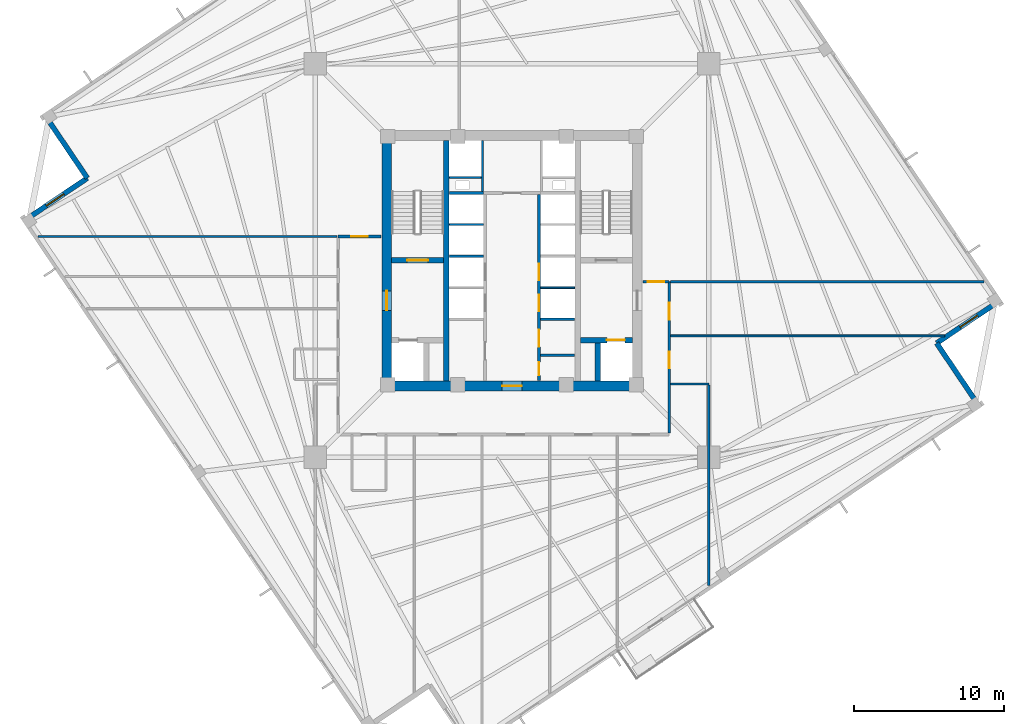
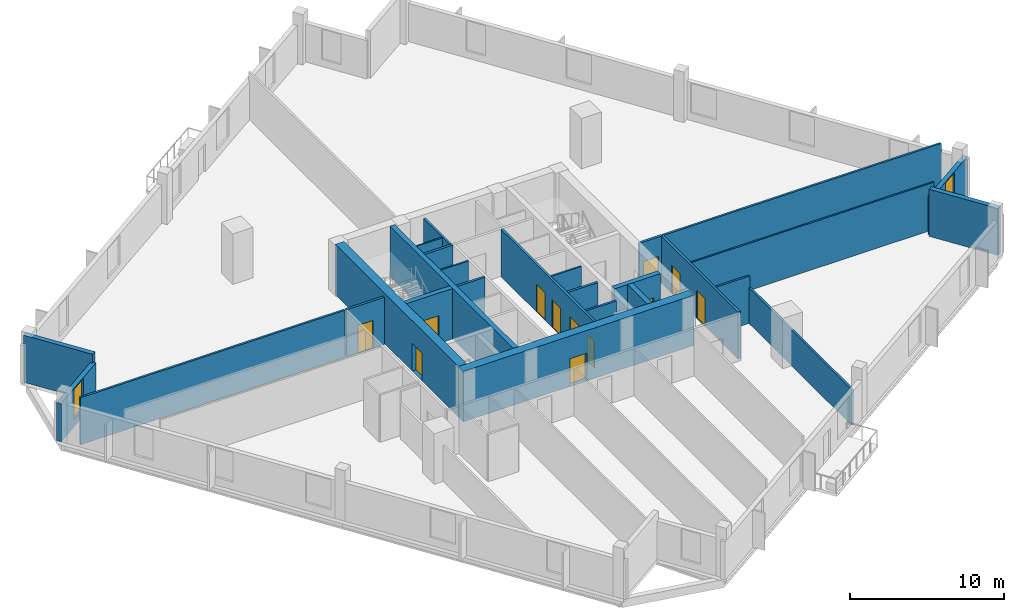
# One storey, part 4 of 9: 27 walls, 12 doors, 2 windows, 14 openings.
"""IFC4 building model written with IfcOpenShell, lengths in metres."""

from ifc_helpers import new_model, si_unit, direction, frame, frame_2d, origin, place, context, subcontext, project, spatial, rectangle, extrude, source, transform, mapped, material, layer, layer_set, type_object, element, fill, save


model = new_model("IFC4")

# Units and contexts
model_context = context("Model", 3, precision=1e-05, world=origin(), true_north=direction((0.0, 1.0)))
body_context = subcontext(model_context, "Body", "Model", "MODEL_VIEW")
ifc_project = project(units=[si_unit("LENGTHUNIT", "METRE"), si_unit("AREAUNIT", "SQUARE_METRE"), si_unit("VOLUMEUNIT", "CUBIC_METRE"), si_unit("PLANEANGLEUNIT", "RADIAN"), si_unit("MASSUNIT", "GRAM", prefix="KILO"), si_unit("THERMODYNAMICTEMPERATUREUNIT", "KELVIN")], contexts=[model_context])

# Site, building, storey
site_placement = place(None, origin())
site = spatial("IfcSite", under=ifc_project, at=site_placement, CompositionType="ELEMENT")
building_placement = place(site_placement, origin())
building = spatial("IfcBuilding", under=site, at=building_placement, Name="Kosmvard Interchange Tower", CompositionType="ELEMENT")
storey_placement = place(building_placement, frame((0.0, 0.0, 164.39990234375)))
storey = spatial("IfcBuildingStorey", under=building, at=storey_placement, Name="L39", CompositionType="ELEMENT", Elevation=164.39990234375)

# Walls
ifc_material_1 = material(Name="Acoustic gypsum partition system")
ifc_layer_1 = layer(ifc_material_1, 0.14990234375, Name="Acoustic gypsum partition system")
ifc_layer_set_1 = layer_set([ifc_layer_1], Name="Acoustic gypsum partition system")
wall_type_1 = type_object("IfcWallType", Name="Acoustic Suite & Meeting Partition 150", PredefinedType="PARTITIONING", material=ifc_layer_set_1)
wall_1_placement = place(storey_placement, frame((-31.506103515625, 1.60009765625, 0.0), z_axis=(0.0, 0.0, 1.0), x_axis=(1.0, 0.0, 0.0)))
element("IfcWall", 1, at=wall_1_placement, inside=storey, type_object=wall_type_1, Name="L39 Room Partition 03.1", PredefinedType="PARTITIONING", context=body_context, shape_type="SweptSolid", body=[
    extrude(rectangle(XDim=19.861083984375, YDim=0.14990234375, at=frame_2d((9.9306640625, 0.0))), origin(), (0.0, 0.0, 1.0), 3.739990234375),
])
wall_2_placement = place(storey_placement, frame((10.544921875, -1.39990234375, 0.0), z_axis=(0.0, 0.0, 1.0), x_axis=(1.0, 0.0, 0.0)))
element("IfcWall", 2, at=wall_2_placement, inside=storey, type_object=wall_type_1, Name="L39 Room Partition 04.1", PredefinedType="PARTITIONING", context=body_context, shape_type="SweptSolid", body=[
    extrude(rectangle(XDim=20.826171875, YDim=0.14990234375, at=frame_2d((10.4130859375, 0.0))), origin(), (0.0, 0.0, 1.0), 3.739990234375),
])
wall_3_placement = place(storey_placement, frame((10.544921875, -8.199951171875, 0.0), z_axis=(0.0, 0.0, 1.0), x_axis=(1.0, 0.0, 0.0)))
element("IfcWall", 3, at=wall_3_placement, inside=storey, type_object=wall_type_1, Name="L39 Room Partition 12.1", PredefinedType="PARTITIONING", context=body_context, shape_type="SweptSolid", body=[
    extrude(rectangle(XDim=2.5361328125, YDim=0.14990234375, at=frame_2d((1.26806640625, 0.0))), origin(), (0.0, 0.0, 1.0), 3.739990234375),
])
wall_4_placement = place(storey_placement, frame((13.0810546875, -8.27490234375, 0.0), z_axis=(0.0, 0.0, 1.0), x_axis=(0.0, -1.0, 0.0)))
element("IfcWall", 4, at=wall_4_placement, inside=storey, type_object=wall_type_1, Name="L39 Room Partition 13.1", PredefinedType="PARTITIONING", context=body_context, shape_type="SweptSolid", body=[
    extrude(rectangle(XDim=13.32861328125, YDim=0.14990234375, at=frame_2d((6.664306640625, 0.0))), origin(), (0.0, 0.0, 1.0), 2.840087890625),
])
ifc_material_2 = material(Name="Fire-rated gypsum partition system")
ifc_layer_2 = layer(ifc_material_2, 0.159912109375, Name="Fire-rated gypsum partition system")
ifc_layer_set_2 = layer_set([ifc_layer_2], Name="Fire-rated gypsum partition system")
wall_type_2 = type_object("IfcWallType", Name="Core Compartment & Shuttle Lobby Partition 160", PredefinedType="PARTITIONING", material=ifc_layer_set_2)
wall_5_placement = place(storey_placement, frame((1.889892578125, -6.300048828125, 0.0), z_axis=(0.0, 0.0, 1.0), x_axis=(1.0, 0.0, 0.0)))
element("IfcWall", 5, at=wall_5_placement, inside=storey, type_object=wall_type_2, Name="L39 Reclaimed Split E", PredefinedType="PARTITIONING", context=body_context, shape_type="SweptSolid", body=[
    extrude(rectangle(XDim=2.280029296875, YDim=0.159912109375, at=frame_2d((1.14013671875, 0.0))), origin(), (0.0, 0.0, 1.0), 3.739990234375),
])
wall_6_placement = place(storey_placement, frame((-1.9599609375, 4.580078125, 0.0), z_axis=(0.0, 0.0, 1.0), x_axis=(0.0, 1.0, 0.0)))
element("IfcWall", 6, at=wall_6_placement, inside=storey, type_object=wall_type_2, Name="L39 North Core West Wall", PredefinedType="PARTITIONING", context=body_context, shape_type="SweptSolid", body=[
    extrude(rectangle(XDim=3.39990234375, YDim=0.159912109375, at=frame_2d((1.699951171875, 0.0))), origin(), (0.0, 0.0, 1.0), 3.739990234375),
])

# Wall, openings, doors
ifc_layer_3 = layer(ifc_material_2, 0.179931640625, Name="Fire-rated gypsum partition system")
ifc_layer_set_3 = layer_set([ifc_layer_3], Name="Fire-rated gypsum partition system")
wall_type_3 = type_object("IfcWallType", Name="Corridor & Hotel Compartment Partition 180", PredefinedType="PARTITIONING", material=ifc_layer_set_3)
wall_7_placement = place(storey_placement, frame((1.7900390625, -7.97998046875, 0.0), z_axis=(0.0, 0.0, 1.0), x_axis=(0.0, 1.0, 0.0)))
wall_7 = element("IfcWall", 7, at=wall_7_placement, inside=storey, type_object=wall_type_3, Name="L39 East Lift Bank Front Wall", PredefinedType="PARTITIONING", context=body_context, shape_type="SweptSolid", body=[
    extrude(rectangle(XDim=12.3798828125, YDim=0.179931640625, at=frame_2d((6.18994140625, 0.0))), origin(), (0.0, 0.0, 1.0), 3.739990234375),
])
opening_1_placement = place(wall_7_placement, frame((4.60009765625, 0.0, 0.0)))
opening_1 = element("IfcOpeningElement", 8, at=opening_1_placement, cuts=wall_7, Name="Opening LD-PL-M3-L39", PredefinedType="OPENING", context=body_context, shape_type="SweptSolid", body=[
    extrude(rectangle(XDim=1.10009765625, YDim=2.199951171875, at=frame_2d((0.550048828125, 1.10009765625))), frame((0.0, 0.10009765625, 0.0), z_axis=(0.0, -1.0, 0.0), x_axis=(1.0, 0.0, 0.0)), (0.0, 0.0, 1.0), 0.199951171875),
])
opening_2_placement = place(wall_7_placement, frame((6.659912109375, 0.0, 0.0)))
opening_2 = element("IfcOpeningElement", 9, at=opening_2_placement, cuts=wall_7, Name="Opening LD-PL-M4-L39", PredefinedType="OPENING", context=body_context, shape_type="SweptSolid", body=[
    extrude(rectangle(XDim=1.10009765625, YDim=2.199951171875, at=frame_2d((0.550048828125, 1.10009765625))), frame((0.0, 0.10009765625, 0.0), z_axis=(0.0, -1.0, 0.0), x_axis=(1.0, 0.0, 0.0)), (0.0, 0.0, 1.0), 0.199951171875),
])
opening_3_placement = place(wall_7_placement, frame((0.35009765625, 0.0, 0.0)))
opening_3 = element("IfcOpeningElement", 10, at=opening_3_placement, cuts=wall_7, Name="Opening L39-CD2", PredefinedType="OPENING", context=body_context, shape_type="SweptSolid", body=[
    extrude(rectangle(XDim=0.8798828125, YDim=2.10009765625, at=frame_2d((0.43994140625, 1.050048828125))), frame((0.0, 0.10009765625, 0.0), z_axis=(0.0, -1.0, 0.0), x_axis=(1.0, 0.0, 0.0)), (0.0, 0.0, 1.0), 0.199951171875),
])
opening_4_placement = place(wall_7_placement, frame((2.25, 0.0, 0.0)))
opening_4 = element("IfcOpeningElement", 11, at=opening_4_placement, cuts=wall_7, Name="Opening L39-CD3", PredefinedType="OPENING", context=body_context, shape_type="SweptSolid", body=[
    extrude(rectangle(XDim=1.14990234375, YDim=2.25, at=frame_2d((0.574951171875, 1.125))), frame((0.0, 0.10009765625, 0.0), z_axis=(0.0, -1.0, 0.0), x_axis=(1.0, 0.0, 0.0)), (0.0, 0.0, 1.0), 0.199951171875),
])
ifc_material_3 = material(Name="Painted fire-rated steel leaf", Category="steel")
door_type_1 = type_object("IfcDoorType", Name="Plant & Riser Fire Door 1150x2250 EI60", OperationType="NOTDEFINED", PredefinedType="DOOR", material=ifc_material_3)
shared_shape_1 = source(origin(), body_context, "Body", "SweptSolid", [
    extrude(rectangle(XDim=1.14990234375, YDim=2.25, at=frame_2d((0.574951171875, 1.125))), frame((0.0, 0.02490234375, 0.0), z_axis=(0.0, -1.0, 0.0), x_axis=(1.0, 0.0, 0.0)), (0.0, 0.0, 1.0), 0.050048828125),
])
door_1_placement = place(opening_4_placement, frame((1.14990234375, 0.0, 0.0), z_axis=(0.0, 0.0, 1.0), x_axis=(-1.0, 0.0, 0.0)))
door_1 = element("IfcDoor", 12, at=door_1_placement, inside=storey, type_object=door_type_1, Name="L39 Core Pantry Door", OperationType="SINGLE_SWING_LEFT", OverallHeight=2.25, OverallWidth=1.14990234375, PredefinedType="DOOR", context=body_context, shape_type="MappedRepresentation", body=[
    mapped(shared_shape_1, transform((0.0, 0.0, 0.0), scale=1.0)),
])
fill(opening_4, door_1)
ifc_material_4 = material(Name="Brushed stainless steel sliding leaf", Category="steel")
door_type_2 = type_object("IfcDoorType", Name="Passenger Lift Sliding Landing Door 1100x2200 EI60", OperationType="DOUBLE_DOOR_SLIDING", PredefinedType="DOOR", material=ifc_material_4)
shared_shape_2 = source(origin(), body_context, "Body", "SweptSolid", [
    extrude(rectangle(XDim=1.10009765625, YDim=2.199951171875, at=frame_2d((0.550048828125, 1.10009765625))), frame((0.0, 0.02490234375, 0.0), z_axis=(0.0, -1.0, 0.0), x_axis=(1.0, 0.0, 0.0)), (0.0, 0.0, 1.0), 0.050048828125),
])
door_2_placement = place(opening_1_placement, origin())
door_2 = element("IfcDoor", 13, at=door_2_placement, inside=storey, type_object=door_type_2, Name="Lift PL-M3 Landing Door L39", OperationType="DOUBLE_DOOR_SLIDING", OverallHeight=2.199951171875, OverallWidth=1.10009765625, PredefinedType="DOOR", context=body_context, shape_type="MappedRepresentation", body=[
    mapped(shared_shape_2, transform((0.0, 0.0, 0.0), scale=1.0)),
])
fill(opening_1, door_2)
door_3_placement = place(opening_2_placement, origin())
door_3 = element("IfcDoor", 14, at=door_3_placement, inside=storey, type_object=door_type_2, Name="Lift PL-M4 Landing Door L39", OperationType="DOUBLE_DOOR_SLIDING", OverallHeight=2.199951171875, OverallWidth=1.10009765625, PredefinedType="DOOR", context=body_context, shape_type="MappedRepresentation", body=[
    mapped(shared_shape_2, transform((0.0, 0.0, 0.0), scale=1.0)),
])
fill(opening_2, door_3)
ifc_material_5 = material(Name="Painted fire-rated timber leaf", Category="wood")
door_type_3 = type_object("IfcDoorType", Name="Core Cupboard Fire Door 880x2100 EI30", OperationType="NOTDEFINED", PredefinedType="DOOR", material=ifc_material_5)
shared_shape_3 = source(origin(), body_context, "Body", "SweptSolid", [
    extrude(rectangle(XDim=0.8798828125, YDim=2.10009765625, at=frame_2d((0.43994140625, 1.050048828125))), frame((0.0, 0.02490234375, 0.0), z_axis=(0.0, -1.0, 0.0), x_axis=(1.0, 0.0, 0.0)), (0.0, 0.0, 1.0), 0.050048828125),
])
door_4_placement = place(opening_3_placement, frame((0.8798828125, 0.0, 0.0), z_axis=(0.0, 0.0, 1.0), x_axis=(-1.0, 0.0, 0.0)))
door_4 = element("IfcDoor", 15, at=door_4_placement, inside=storey, type_object=door_type_3, Name="L39 Core Cleaner Door", OperationType="SINGLE_SWING_RIGHT", OverallHeight=2.10009765625, OverallWidth=0.8798828125, PredefinedType="DOOR", context=body_context, shape_type="MappedRepresentation", body=[
    mapped(shared_shape_3, transform((0.0, 0.0, 0.0), scale=1.0)),
])
fill(opening_3, door_4)

wall_8_placement = place(storey_placement, frame((10.449951171875, -11.449951171875, 0.0), z_axis=(0.0, 0.0, 1.0), x_axis=(0.0, 1.0, 0.0)))
wall_8 = element("IfcWall", 16, at=wall_8_placement, inside=storey, type_object=wall_type_3, Name="L39 Corridor Wall CE", PredefinedType="PARTITIONING", context=body_context, shape_type="SweptSolid", body=[
    extrude(rectangle(XDim=10.050048828125, YDim=0.179931640625, at=frame_2d((5.02490234375, 0.0))), origin(), (0.0, 0.0, 1.0), 3.739990234375),
])
opening_5_placement = place(wall_8_placement, frame((4.300048828125, 0.0, 0.0)))
opening_5 = element("IfcOpeningElement", 17, at=opening_5_placement, cuts=wall_8, Name="Opening L39-D13", PredefinedType="OPENING", context=body_context, shape_type="SweptSolid", body=[
    extrude(rectangle(XDim=1.10009765625, YDim=2.199951171875, at=frame_2d((0.550048828125, 1.10009765625))), frame((0.0, 0.10009765625, 0.0), z_axis=(0.0, -1.0, 0.0), x_axis=(1.0, 0.0, 0.0)), (0.0, 0.0, 1.0), 0.199951171875),
])
opening_6_placement = place(wall_8_placement, frame((7.53564453125, 0.0, 0.0)))
opening_6 = element("IfcOpeningElement", 18, at=opening_6_placement, cuts=wall_8, Name="Opening L39-D14", PredefinedType="OPENING", context=body_context, shape_type="SweptSolid", body=[
    extrude(rectangle(XDim=1.10009765625, YDim=2.199951171875, at=frame_2d((0.550048828125, 1.10009765625))), frame((0.0, 0.10009765625, 0.0), z_axis=(0.0, -1.0, 0.0), x_axis=(1.0, 0.0, 0.0)), (0.0, 0.0, 1.0), 0.199951171875),
])
ifc_material_6 = material(Name="Engineered oak fire-rated timber", Category="wood")
door_type_4 = type_object("IfcDoorType", Name="Office Suite Entrance Door 1100x2200 FD30S", OperationType="NOTDEFINED", PredefinedType="DOOR", material=ifc_material_6)
door_5_placement = place(opening_5_placement, frame((1.10009765625, 0.0, 0.0), z_axis=(0.0, 0.0, 1.0), x_axis=(-1.0, 0.0, 0.0)))
door_5 = element("IfcDoor", 19, at=door_5_placement, inside=storey, type_object=door_type_4, Name="L39 Staff Tea Pantry Door", OperationType="SINGLE_SWING_LEFT", OverallHeight=2.199951171875, OverallWidth=1.10009765625, PredefinedType="DOOR", context=body_context, shape_type="MappedRepresentation", body=[
    mapped(shared_shape_2, transform((0.0, 0.0, 0.0), scale=1.0)),
])
fill(opening_5, door_5)
door_6_placement = place(opening_6_placement, frame((1.10009765625, 0.0, 0.0), z_axis=(0.0, 0.0, 1.0), x_axis=(-1.0, 0.0, 0.0)))
door_6 = element("IfcDoor", 20, at=door_6_placement, inside=storey, type_object=door_type_4, Name="L39 East Systems Office 7 Door", OperationType="SINGLE_SWING_RIGHT", OverallHeight=2.199951171875, OverallWidth=1.10009765625, PredefinedType="DOOR", context=body_context, shape_type="MappedRepresentation", body=[
    mapped(shared_shape_2, transform((0.0, 0.0, 0.0), scale=1.0)),
])
fill(opening_6, door_6)

# Wall, opening, door
wall_9_placement = place(storey_placement, frame((-11.550048828125, 1.60009765625, 0.0), z_axis=(0.0, 0.0, 1.0), x_axis=(1.0, 0.0, 0.0)))
wall_9 = element("IfcWall", 21, at=wall_9_placement, inside=storey, type_object=wall_type_3, Name="L39 Corridor Wall CNW", PredefinedType="PARTITIONING", context=body_context, shape_type="SweptSolid", body=[
    extrude(rectangle(XDim=2.85009765625, YDim=0.179931640625, at=frame_2d((1.425048828125, 0.0))), origin(), (0.0, 0.0, 1.0), 3.739990234375),
])
opening_7_placement = place(wall_9_placement, frame((0.875, 0.0, 0.0)))
opening_7 = element("IfcOpeningElement", 22, at=opening_7_placement, cuts=wall_9, Name="Opening L39-D04", PredefinedType="OPENING", context=body_context, shape_type="SweptSolid", body=[
    extrude(rectangle(XDim=1.10009765625, YDim=2.199951171875, at=frame_2d((0.550048828125, 1.10009765625))), frame((0.0, 0.10009765625, 0.0), z_axis=(0.0, -1.0, 0.0), x_axis=(1.0, 0.0, 0.0)), (0.0, 0.0, 1.0), 0.199951171875),
])
door_7_placement = place(opening_7_placement, origin())
door_7 = element("IfcDoor", 23, at=door_7_placement, inside=storey, type_object=door_type_4, Name="L39 North-West Software Workplace Door", OperationType="SINGLE_SWING_RIGHT", OverallHeight=2.199951171875, OverallWidth=1.10009765625, PredefinedType="DOOR", context=body_context, shape_type="MappedRepresentation", body=[
    mapped(shared_shape_2, transform((0.0, 0.0, 0.0), scale=1.0)),
])
fill(opening_7, door_7)

wall_10_placement = place(storey_placement, frame((8.699951171875, -1.39990234375, 0.0), z_axis=(0.0, 0.0, 1.0), x_axis=(1.0, 0.0, 0.0)))
wall_10 = element("IfcWall", 24, at=wall_10_placement, inside=storey, type_object=wall_type_3, Name="L39 Corridor Wall CNE", PredefinedType="PARTITIONING", context=body_context, shape_type="SweptSolid", body=[
    extrude(rectangle(XDim=1.75, YDim=0.179931640625, at=frame_2d((0.875, 0.0))), origin(), (0.0, 0.0, 1.0), 3.739990234375),
])
opening_8_placement = place(wall_10_placement, frame((0.324951171875, 0.0, 0.0)))
opening_8 = element("IfcOpeningElement", 25, at=opening_8_placement, cuts=wall_10, Name="Opening L39-D05", PredefinedType="OPENING", context=body_context, shape_type="SweptSolid", body=[
    extrude(rectangle(XDim=1.10009765625, YDim=2.199951171875, at=frame_2d((0.550048828125, 1.10009765625))), frame((0.0, 0.10009765625, 0.0), z_axis=(0.0, -1.0, 0.0), x_axis=(1.0, 0.0, 0.0)), (0.0, 0.0, 1.0), 0.199951171875),
])
door_8_placement = place(opening_8_placement, origin())
door_8 = element("IfcDoor", 26, at=door_8_placement, inside=storey, type_object=door_type_4, Name="L39 Digital Engineering Library Door", OperationType="SINGLE_SWING_LEFT", OverallHeight=2.199951171875, OverallWidth=1.10009765625, PredefinedType="DOOR", context=body_context, shape_type="MappedRepresentation", body=[
    mapped(shared_shape_2, transform((0.0, 0.0, 0.0), scale=1.0)),
])
fill(opening_8, door_8)

ifc_material_7 = material(Name="Concrete C70/85", Category="concrete")
ifc_layer_4 = layer(ifc_material_7, 0.64990234375, Name="Concrete C70/85")
ifc_layer_set_4 = layer_set([ifc_layer_4], Name="Concrete C70/85")
wall_type_4 = type_object("IfcWallType", Name="Mid Core Shear Wall 650 C70/85", PredefinedType="SHEAR", material=ifc_layer_set_4)
wall_11_placement = place(storey_placement, frame((-8.64990234375, -8.324951171875, 0.0), z_axis=(0.0, 0.0, 1.0), x_axis=(1.0, 0.0, 0.0)))
wall_11 = element("IfcWall", 27, at=wall_11_placement, inside=storey, type_object=wall_type_4, Name="L39 Core Shear Wall CW-S", PredefinedType="SHEAR", context=body_context, shape_type="SweptSolid", body=[
    extrude(rectangle(XDim=17.2998046875, YDim=0.64990234375, at=frame_2d((8.64990234375, 0.0))), origin(), (0.0, 0.0, 1.0), 4.0),
])
opening_9_placement = place(wall_11_placement, frame((8.0, 0.0, 0.0)))
opening_9 = element("IfcOpeningElement", 28, at=opening_9_placement, cuts=wall_11, Name="Opening L39-LD0", PredefinedType="OPENING", context=body_context, shape_type="SweptSolid", body=[
    extrude(rectangle(XDim=1.300048828125, YDim=2.199951171875, at=frame_2d((0.64990234375, 1.10009765625))), frame((0.0, 0.3349609375, 0.0), z_axis=(0.0, -1.0, 0.0), x_axis=(1.0, 0.0, 0.0)), (0.0, 0.0, 1.0), 0.669921875),
])
door_type_5 = type_object("IfcDoorType", Name="Firefighting Lobby Door 1300x2200 EI60", OperationType="NOTDEFINED", PredefinedType="DOOR", material=ifc_material_3)
shared_shape_4 = source(origin(), body_context, "Body", "SweptSolid", [
    extrude(rectangle(XDim=1.300048828125, YDim=2.199951171875, at=frame_2d((0.64990234375, 1.10009765625))), frame((0.0, 0.02490234375, 0.0), z_axis=(0.0, -1.0, 0.0), x_axis=(1.0, 0.0, 0.0)), (0.0, 0.0, 1.0), 0.050048828125),
])
door_9_placement = place(opening_9_placement, frame((1.300048828125, 0.0, 0.0), z_axis=(0.0, 0.0, 1.0), x_axis=(-1.0, 0.0, 0.0)))
door_9 = element("IfcDoor", 29, at=door_9_placement, inside=storey, type_object=door_type_5, Name="L39 Passenger Lift Lobby South Door", OperationType="SINGLE_SWING_RIGHT", OverallHeight=2.199951171875, OverallWidth=1.300048828125, PredefinedType="DOOR", context=body_context, shape_type="MappedRepresentation", body=[
    mapped(shared_shape_4, transform((0.0, 0.0, 0.0), scale=1.0)),
])
fill(opening_9, door_9)

wall_12_placement = place(storey_placement, frame((-8.324951171875, -8.0, 0.0), z_axis=(0.0, 0.0, 1.0), x_axis=(0.0, 1.0, 0.0)))
wall_12 = element("IfcWall", 30, at=wall_12_placement, inside=storey, type_object=wall_type_4, Name="L39 Core Shear Wall CW-W", PredefinedType="SHEAR", context=body_context, shape_type="SweptSolid", body=[
    extrude(rectangle(XDim=16.0, YDim=0.64990234375, at=frame_2d((8.0, 0.0))), origin(), (0.0, 0.0, 1.0), 4.0),
])
opening_10_placement = place(wall_12_placement, frame((4.68994140625, 0.0, 0.0)))
opening_10 = element("IfcOpeningElement", 31, at=opening_10_placement, cuts=wall_12, Name="Opening L39-FD1", PredefinedType="OPENING", context=body_context, shape_type="SweptSolid", body=[
    extrude(rectangle(XDim=1.300048828125, YDim=2.199951171875, at=frame_2d((0.64990234375, 1.10009765625))), frame((0.0, 0.3349609375, 0.0), z_axis=(0.0, -1.0, 0.0), x_axis=(1.0, 0.0, 0.0)), (0.0, 0.0, 1.0), 0.669921875),
])
door_10_placement = place(opening_10_placement, frame((1.300048828125, 0.0, 0.0), z_axis=(0.0, 0.0, 1.0), x_axis=(-1.0, 0.0, 0.0)))
door_10 = element("IfcDoor", 32, at=door_10_placement, inside=storey, type_object=door_type_5, Name="L39 Firefighting Lobby West Door", OperationType="SINGLE_SWING_LEFT", OverallHeight=2.199951171875, OverallWidth=1.300048828125, PredefinedType="DOOR", context=body_context, shape_type="MappedRepresentation", body=[
    mapped(shared_shape_4, transform((0.0, 0.0, 0.0), scale=1.0)),
])
fill(opening_10, door_10)

# Wall
ifc_material_8 = material(Name="Precast concrete C45/55", Category="concrete")
ifc_layer_5 = layer(ifc_material_8, 0.340087890625, Name="Precast concrete C45/55")
ifc_layer_set_5 = layer_set([ifc_layer_5], Name="Precast concrete C45/55")
wall_type_5 = type_object("IfcWallType", Name="Mid Tower Precast Pier Wall 340 C45/55", PredefinedType="STANDARD", material=ifc_layer_set_5)
wall_13_placement = place(storey_placement, frame((31.018798828125, -9.631103515625, 0.0), z_axis=(0.0, 0.0, 1.0), x_axis=(-0.559210350234, 0.829025804298, 0.0)))
element("IfcWall", 33, at=wall_13_placement, inside=storey, type_object=wall_type_5, Name="L39 Precast Facade Wall N-SE1", PredefinedType="STANDARD", context=body_context, shape_type="SweptSolid", body=[
    extrude(rectangle(XDim=5.000244140625, YDim=0.340087890625, at=frame_2d((2.5, 0.0))), origin(), (0.0, 0.0, 1.0), 3.739990234375),
])

# Wall, opening, window
wall_14_placement = place(storey_placement, frame((28.22265625, -5.48583984375, 0.0), z_axis=(0.0, 0.0, 1.0), x_axis=(0.82905227345, 0.559171107879, 0.0)))
wall_14 = element("IfcWall", 34, at=wall_14_placement, inside=storey, type_object=wall_type_5, Name="L39 Precast Facade Wall N-SE2", PredefinedType="STANDARD", context=body_context, shape_type="SweptSolid", body=[
    extrude(rectangle(XDim=5.169921875, YDim=0.340087890625, at=frame_2d((2.5849609375, 0.0))), origin(), (0.0, 0.0, 1.0), 3.0400390625),
])
opening_11_placement = place(wall_14_placement, frame((1.885009765625, 0.0, 0.56005859375)))
opening_11 = element("IfcOpeningElement", 35, at=opening_11_placement, cuts=wall_14, Name="Opening L39-W21", PredefinedType="OPENING", context=body_context, shape_type="SweptSolid", body=[
    extrude(rectangle(XDim=1.39990234375, YDim=2.39990234375, at=frame_2d((0.699951171875, 1.199951171875))), frame((0.0, 0.18017578125, 0.0), z_axis=(0.0, -1.0, 0.0), x_axis=(1.0, 0.0, 0.0)), (0.0, 0.0, 1.0), 0.360107421875),
])
ifc_material_9 = material(Name="Low-E solar-control double glazing", Category="glass")
window_type = type_object("IfcWindowType", Name="Notched Corner Feature Window 1400x2400", PartitioningType="SINGLE_PANEL", PredefinedType="WINDOW", material=ifc_material_9)
shared_shape_5 = source(origin(), body_context, "Body", "SweptSolid", [
    extrude(rectangle(XDim=1.39990234375, YDim=2.39990234375, at=frame_2d((0.699951171875, 1.199951171875))), frame((0.0, 0.030029296875, 0.0), z_axis=(0.0, -1.0, 0.0), x_axis=(1.0, 0.0, 0.0)), (0.0, 0.0, 1.0), 0.06005859375),
])
window_1_placement = place(opening_11_placement, origin())
window_1 = element("IfcWindow", 36, at=window_1_placement, inside=storey, type_object=window_type, Name="L39 Corner Notch Window 21", OverallHeight=2.39990234375, OverallWidth=1.39990234375, PartitioningType="SINGLE_PANEL", PredefinedType="WINDOW", context=body_context, shape_type="MappedRepresentation", body=[
    mapped(shared_shape_5, transform((0.0, 0.0, 0.0), scale=1.0)),
])
fill(opening_11, window_1)

# Wall
wall_15_placement = place(storey_placement, frame((-31.018798828125, 9.631103515625, 0.0), z_axis=(0.0, 0.0, 1.0), x_axis=(0.559210350234, -0.829025804298, 0.0)))
element("IfcWall", 37, at=wall_15_placement, inside=storey, type_object=wall_type_5, Name="L39 Precast Facade Wall N-NW1", PredefinedType="STANDARD", context=body_context, shape_type="SweptSolid", body=[
    extrude(rectangle(XDim=5.000244140625, YDim=0.340087890625, at=frame_2d((2.5, 0.0))), origin(), (0.0, 0.0, 1.0), 3.739990234375),
])

# Wall, opening, window
wall_16_placement = place(storey_placement, frame((-28.22265625, 5.48583984375, 0.0), z_axis=(0.0, 0.0, 1.0), x_axis=(-0.82905227345, -0.559171107879, 0.0)))
wall_16 = element("IfcWall", 38, at=wall_16_placement, inside=storey, type_object=wall_type_5, Name="L39 Precast Facade Wall N-NW2", PredefinedType="STANDARD", context=body_context, shape_type="SweptSolid", body=[
    extrude(rectangle(XDim=5.169921875, YDim=0.340087890625, at=frame_2d((2.5849609375, 0.0))), origin(), (0.0, 0.0, 1.0), 3.0400390625),
])
opening_12_placement = place(wall_16_placement, frame((1.885009765625, 0.0, 0.56005859375)))
opening_12 = element("IfcOpeningElement", 39, at=opening_12_placement, cuts=wall_16, Name="Opening L39-W23", PredefinedType="OPENING", context=body_context, shape_type="SweptSolid", body=[
    extrude(rectangle(XDim=1.39990234375, YDim=2.39990234375, at=frame_2d((0.699951171875, 1.199951171875))), frame((0.0, 0.18017578125, 0.0), z_axis=(0.0, -1.0, 0.0), x_axis=(1.0, 0.0, 0.0)), (0.0, 0.0, 1.0), 0.360107421875),
])
window_2_placement = place(opening_12_placement, origin())
window_2 = element("IfcWindow", 40, at=window_2_placement, inside=storey, type_object=window_type, Name="L39 Corner Notch Window 23", OverallHeight=2.39990234375, OverallWidth=1.39990234375, PartitioningType="SINGLE_PANEL", PredefinedType="WINDOW", context=body_context, shape_type="MappedRepresentation", body=[
    mapped(shared_shape_5, transform((0.0, 0.0, 0.0), scale=1.0)),
])
fill(opening_12, window_2)

# Walls
ifc_material_10 = material(Name="Gypsum board partition system")
ifc_layer_6 = layer(ifc_material_10, 0.1201171875, Name="Gypsum board partition system")
ifc_layer_set_6 = layer_set([ifc_layer_6], Name="Gypsum board partition system")
wall_type_6 = type_object("IfcWallType", Name="Office Cellular Partition 120", PredefinedType="PARTITIONING", material=ifc_layer_set_6)
wall_17_placement = place(storey_placement, frame((10.544921875, -5.0, 0.0), z_axis=(0.0, 0.0, 1.0), x_axis=(1.0, 0.0, 0.0)))
element("IfcWall", 41, at=wall_17_placement, inside=storey, type_object=wall_type_6, Name="L39 Room Partition 14.1", PredefinedType="PARTITIONING", context=body_context, shape_type="SweptSolid", body=[
    extrude(rectangle(XDim=18.21044921875, YDim=0.1201171875, at=frame_2d((9.105224609375, 0.0))), origin(), (0.0, 0.0, 1.0), 3.739990234375),
])
ifc_material_11 = material(Name="Concrete blockwork masonry", Category="masonry")
ifc_layer_7 = layer(ifc_material_11, 0.179931640625, Name="Concrete blockwork masonry")
ifc_layer_set_7 = layer_set([ifc_layer_7], Name="Concrete blockwork masonry")
wall_type_7 = type_object("IfcWallType", Name="Riser & Lift Bank Divider Wall 180", PredefinedType="PARTITIONING", material=ifc_layer_set_7)
for number, where, z_axis, x_axis, name in (
    (42, (1.889892578125, -3.89990234375, 0.0), (0.0, 0.0, 1.0), (1.0, 0.0, 0.0), "L39 East Bank Divider BD1"),
    (43, (-4.169921875, 0.300048828125, 0.0), (0.0, 0.0, 1.0), (1.0, 0.0, 0.0), "L39 West Bank Divider BD2"),
    (44, (-4.169921875, 4.489990234375, 0.0), (0.0, 0.0, 1.0), (1.0, 0.0, 0.0), "L39 West Bank Divider BD3"),
):
    element("IfcWall", number, at=place(storey_placement, frame(where, z_axis=z_axis, x_axis=x_axis)), inside=storey, type_object=wall_type_7, Name=name, PredefinedType="PARTITIONING", context=body_context, shape_type="SweptSolid", body=[
        extrude(rectangle(XDim=2.280029296875, YDim=0.179931640625, at=frame_2d((1.14013671875, 0.0))), origin(), (0.0, 0.0, 1.0), 3.739990234375),
    ])
ifc_material_12 = material(Name="Fire-rated gypsum shaftwall system")
ifc_layer_8 = layer(ifc_material_12, 0.1201171875, Name="Fire-rated gypsum shaftwall system")
ifc_layer_set_8 = layer_set([ifc_layer_8], Name="Fire-rated gypsum shaftwall system")
wall_type_8 = type_object("IfcWallType", Name="Shaft & Riser Fire Partition 120 EI60", PredefinedType="PARTITIONING", material=ifc_layer_set_8)
for number, where, z_axis, x_axis, name in (
    (45, (1.89990234375, -1.800048828125, 0.0), (0.0, 0.0, 1.0), (1.0, 0.0, 0.0), "L39 Shaft Divider PL-M3"),
    (46, (-4.159912109375, 2.39990234375, 0.0), (0.0, 0.0, 1.0), (1.0, 0.0, 0.0), "L39 Shaft Divider PL-H1"),
):
    element("IfcWall", number, at=place(storey_placement, frame(where, z_axis=z_axis, x_axis=x_axis)), inside=storey, type_object=wall_type_8, Name=name, PredefinedType="PARTITIONING", context=body_context, shape_type="SweptSolid", body=[
        extrude(rectangle(XDim=2.260009765625, YDim=0.1201171875, at=frame_2d((1.1298828125, 0.0))), origin(), (0.0, 0.0, 1.0), 3.739990234375),
    ])
wall_18_placement = place(storey_placement, frame((-4.159912109375, 5.52001953125, 0.0), z_axis=(0.0, 0.0, 1.0), x_axis=(1.0, 0.0, 0.0)))
element("IfcWall", 47, at=wall_18_placement, inside=storey, type_object=wall_type_8, Name="L39 Riser Shaft Divider W", PredefinedType="PARTITIONING", context=body_context, shape_type="SweptSolid", body=[
    extrude(rectangle(XDim=2.099853515625, YDim=0.1201171875, at=frame_2d((1.0498046875, 0.0))), origin(), (0.0, 0.0, 1.0), 3.739990234375),
])
ifc_material_13 = material(Name="Concrete C60/75", Category="concrete")
ifc_layer_9 = layer(ifc_material_13, 0.360107421875, Name="Concrete C60/75")
ifc_layer_set_9 = layer_set([ifc_layer_9], Name="Concrete C60/75")
wall_type_9 = type_object("IfcWallType", Name="Stair & Lift Shaft Shear Wall 360 C60/75", PredefinedType="SHEAR", material=ifc_layer_set_9)
wall_19_placement = place(storey_placement, frame((-4.360107421875, -8.0, 0.0), z_axis=(0.0, 0.0, 1.0), x_axis=(0.0, 1.0, 0.0)))
element("IfcWall", 48, at=wall_19_placement, inside=storey, type_object=wall_type_9, Name="L39 Shaft Shear Wall SW-W", PredefinedType="SHEAR", context=body_context, shape_type="SweptSolid", body=[
    extrude(rectangle(XDim=16.0, YDim=0.360107421875, at=frame_2d((8.0, 0.0))), origin(), (0.0, 0.0, 1.0), 4.0),
])

# Wall, opening, door
wall_20_placement = place(storey_placement, frame((-8.0, 0.02001953125, 0.0), z_axis=(0.0, 0.0, 1.0), x_axis=(1.0, 0.0, 0.0)))
wall_20 = element("IfcWall", 49, at=wall_20_placement, inside=storey, type_object=wall_type_9, Name="L39 Shaft Shear Wall SW-ST1", PredefinedType="SHEAR", context=body_context, shape_type="SweptSolid", body=[
    extrude(rectangle(XDim=3.4599609375, YDim=0.360107421875, at=frame_2d((1.72998046875, 0.0))), origin(), (0.0, 0.0, 1.0), 4.0),
])
opening_13_placement = place(wall_20_placement, frame((1.030029296875, 0.0, 0.0)))
opening_13 = element("IfcOpeningElement", 50, at=opening_13_placement, cuts=wall_20, Name="Opening L39-SD1", PredefinedType="OPENING", context=body_context, shape_type="SweptSolid", body=[
    extrude(rectangle(XDim=1.39990234375, YDim=2.199951171875, at=frame_2d((0.699951171875, 1.10009765625))), frame((0.0, 0.18994140625, 0.0), z_axis=(0.0, -1.0, 0.0), x_axis=(1.0, 0.0, 0.0)), (0.0, 0.0, 1.0), 0.380126953125),
])
door_type_6 = type_object("IfcDoorType", Name="Protected Stair Door 1400x2200 FD60S", OperationType="NOTDEFINED", PredefinedType="DOOR", material=ifc_material_3)
shared_shape_6 = source(origin(), body_context, "Body", "SweptSolid", [
    extrude(rectangle(XDim=1.39990234375, YDim=2.199951171875, at=frame_2d((0.699951171875, 1.10009765625))), frame((0.0, 0.02490234375, 0.0), z_axis=(0.0, -1.0, 0.0), x_axis=(1.0, 0.0, 0.0)), (0.0, 0.0, 1.0), 0.050048828125),
])
door_11_placement = place(opening_13_placement, origin())
door_11 = element("IfcDoor", 51, at=door_11_placement, inside=storey, type_object=door_type_6, Name="L39 Stair ST-1 Enclosure Door", OperationType="SINGLE_SWING_LEFT", OverallHeight=2.199951171875, OverallWidth=1.39990234375, PredefinedType="DOOR", context=body_context, shape_type="MappedRepresentation", body=[
    mapped(shared_shape_6, transform((0.0, 0.0, 0.0), scale=1.0)),
])
fill(opening_13, door_11)

wall_21_placement = place(storey_placement, frame((4.5400390625, -5.280029296875, 0.0), z_axis=(0.0, 0.0, 1.0), x_axis=(1.0, 0.0, 0.0)))
wall_21 = element("IfcWall", 52, at=wall_21_placement, inside=storey, type_object=wall_type_9, Name="L39 Shaft Shear Wall SW-FF2", PredefinedType="SHEAR", context=body_context, shape_type="SweptSolid", body=[
    extrude(rectangle(XDim=3.4599609375, YDim=0.360107421875, at=frame_2d((1.72998046875, 0.0))), origin(), (0.0, 0.0, 1.0), 4.0),
])
opening_14_placement = place(wall_21_placement, frame((1.760009765625, 0.0, 0.0)))
opening_14 = element("IfcOpeningElement", 53, at=opening_14_placement, cuts=wall_21, Name="Opening LD-FF-2-L39", PredefinedType="OPENING", context=body_context, shape_type="SweptSolid", body=[
    extrude(rectangle(XDim=1.199951171875, YDim=2.25, at=frame_2d((0.60009765625, 1.125))), frame((0.0, 0.18994140625, 0.0), z_axis=(0.0, -1.0, 0.0), x_axis=(1.0, 0.0, 0.0)), (0.0, 0.0, 1.0), 0.380126953125),
])
door_type_7 = type_object("IfcDoorType", Name="Firefighting Lift Sliding Landing Door 1200x2250 EI120", OperationType="DOUBLE_DOOR_SLIDING", PredefinedType="DOOR", material=ifc_material_4)
shared_shape_7 = source(origin(), body_context, "Body", "SweptSolid", [
    extrude(rectangle(XDim=1.199951171875, YDim=2.25, at=frame_2d((0.60009765625, 1.125))), frame((0.0, 0.02490234375, 0.0), z_axis=(0.0, -1.0, 0.0), x_axis=(1.0, 0.0, 0.0)), (0.0, 0.0, 1.0), 0.050048828125),
])
door_12_placement = place(opening_14_placement, origin())
door_12 = element("IfcDoor", 54, at=door_12_placement, inside=storey, type_object=door_type_7, Name="Lift FF-2 Landing Door L39", OperationType="DOUBLE_DOOR_SLIDING", OverallHeight=2.25, OverallWidth=1.199951171875, PredefinedType="DOOR", context=body_context, shape_type="MappedRepresentation", body=[
    mapped(shared_shape_7, transform((0.0, 0.0, 0.0), scale=1.0)),
])
fill(opening_14, door_12)

# Wall
wall_22_placement = place(storey_placement, frame((5.7099609375, -8.0, 0.0), z_axis=(0.0, 0.0, 1.0), x_axis=(0.0, 1.0, 0.0)))
element("IfcWall", 55, at=wall_22_placement, inside=storey, type_object=wall_type_9, Name="L39 Shaft Shear Wall SW-SM2", PredefinedType="SHEAR", context=body_context, shape_type="SweptSolid", body=[
    extrude(rectangle(XDim=2.5400390625, YDim=0.360107421875, at=frame_2d((1.27001953125, 0.0))), origin(), (0.0, 0.0, 1.0), 4.0),
])

save(model, "model.ifc")
